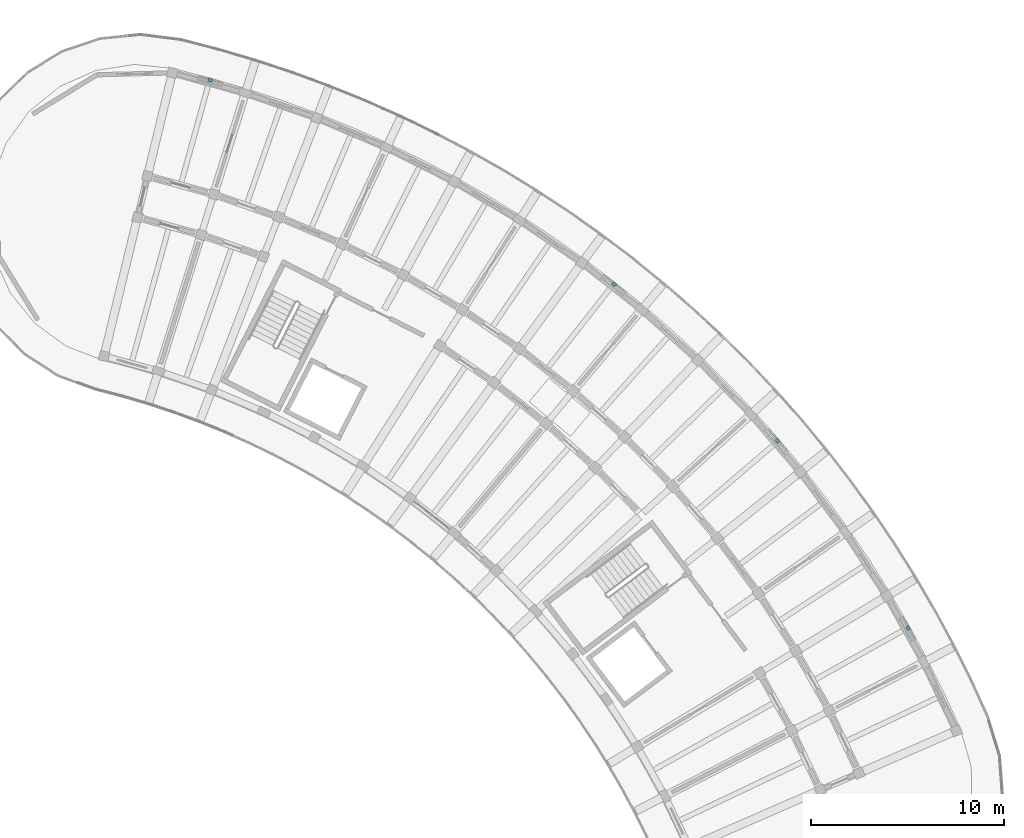
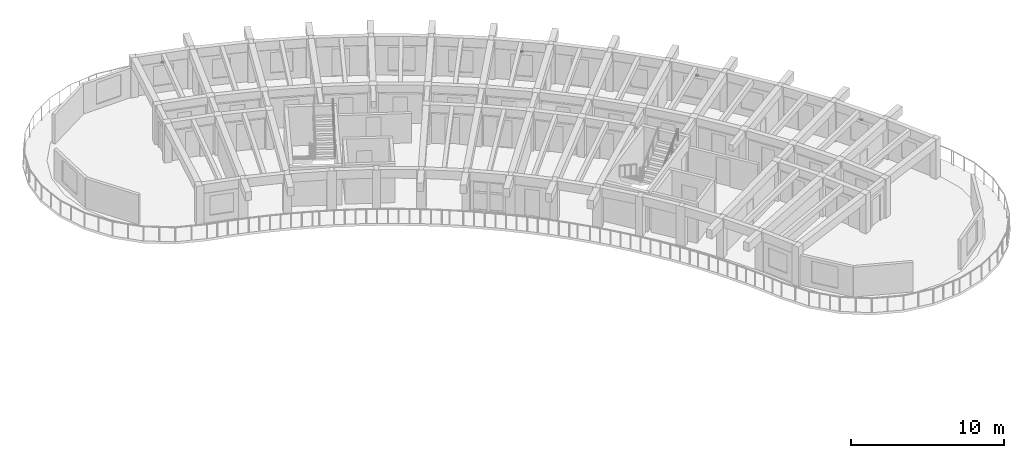
# One storey, part 30 of 41: 4 discrete accessories.
"""IFC4 building model written with IfcOpenShell, lengths in metres."""

from ifc_helpers import new_model, si_unit, direction, frame, origin, origin_2d, place, context, subcontext, project, spatial, rectangle, extrude, material, type_object, element, save


model = new_model("IFC4")

# Units and contexts
model_context = context("Model", 3, precision=1e-05, world=origin(), true_north=direction((0.0, 1.0)))
body_context = subcontext(model_context, "Body", "Model", "MODEL_VIEW")
ifc_project = project(units=[si_unit("LENGTHUNIT", "METRE"), si_unit("AREAUNIT", "SQUARE_METRE"), si_unit("VOLUMEUNIT", "CUBIC_METRE"), si_unit("PLANEANGLEUNIT", "RADIAN"), si_unit("MASSUNIT", "GRAM", prefix="KILO")], contexts=[model_context])

# Site, building, storey
site_placement = place(None, origin())
site = spatial("IfcSite", under=ifc_project, at=site_placement, CompositionType="ELEMENT")
building_placement = place(site_placement, origin())
building = spatial("IfcBuilding", under=site, at=building_placement, Name="Tanwirah Colonnade Gardens", CompositionType="ELEMENT")
storey_placement = place(building_placement, frame((0.0, 0.0, 35.719970703125)))
storey = spatial("IfcBuildingStorey", under=building, at=storey_placement, Name="L10", CompositionType="ELEMENT", Elevation=35.719970703125)

# Discrete accessories
ifc_material = material(Name="Steel S355", Category="steel")
discrete_accessory_type = type_object("IfcDiscreteAccessoryType", Name="BRK-SS1", PredefinedType="BRACKET", material=ifc_material)
for number, where, z_axis, x_axis, name in (
    (1, (173.095947265625, 89.310546875, 2.135009765625), (0.0, 0.0, 1.0), (-0.488196871558, 0.872733530123, 0.0), "Solar screen support bracket B-L10-03"),
    (2, (166.32373046875, 99.0224609375, 2.135009765625), (0.0, 0.0, 1.0), (-0.650186200632, 0.759774903842, 0.0), "Solar screen support bracket B-L10-06"),
    (3, (157.85400390625, 107.138427734375, 2.050048828125), (0.0, 0.0, 1.0), (-0.786815552397, 0.617188209954, 0.0), "Solar screen support bracket B-L10-09"),
    (4, (136.9189453125, 117.71533203125, 2.135009765625), (0.0, 0.0, 1.0), (-0.963889235289, 0.266303477436, 0.0), "Solar screen support bracket B-L10-15"),
):
    element("IfcDiscreteAccessory", number, at=place(storey_placement, frame(where, z_axis=z_axis, x_axis=x_axis)), inside=storey, type_object=discrete_accessory_type, Name=name, PredefinedType="BRACKET", context=body_context, shape_type="SweptSolid", body=[
        extrude(rectangle(XDim=0.219970703125, YDim=0.159912109375, at=origin_2d()), origin(), (0.0, 0.0, 1.0), 0.1201171875),
    ])

save(model, "model.ifc")
